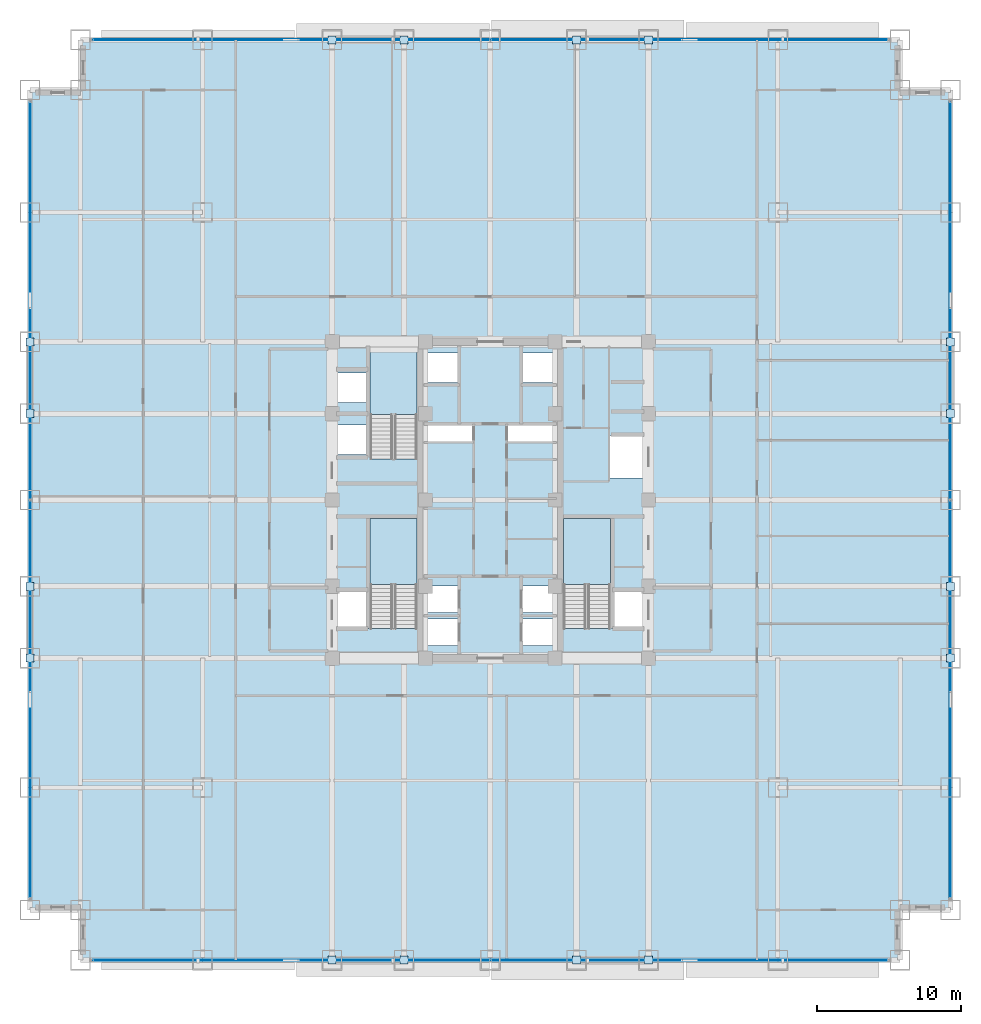
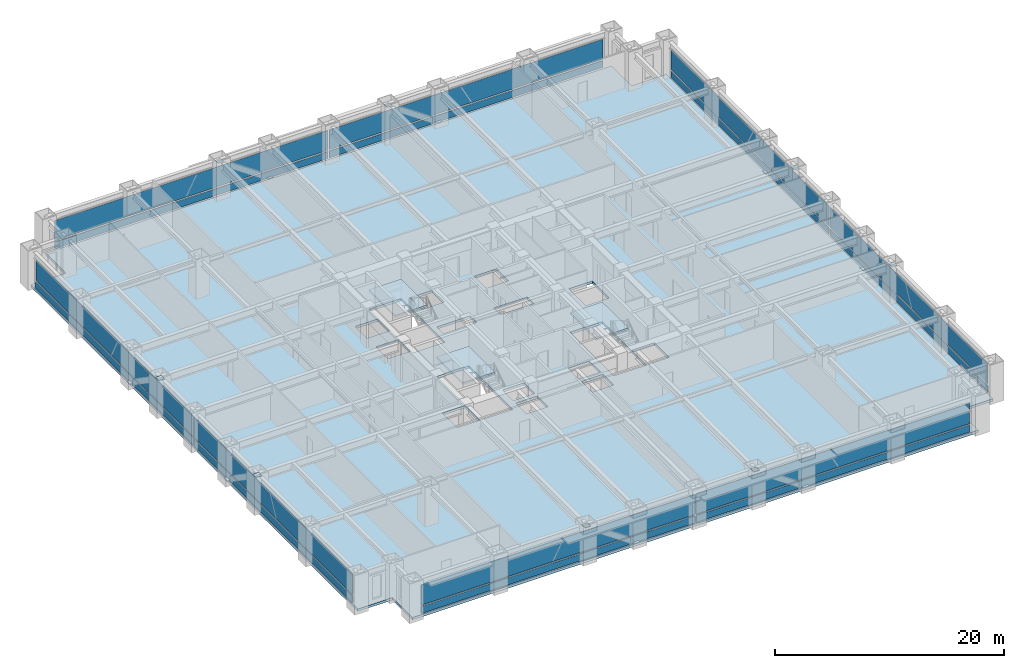
# One storey, part 22 of 32: 32 plates, 4 slabs, 7 elements without a shape of their own.
"""IFC4 building model written with IfcOpenShell, lengths in metres."""

from ifc_helpers import new_model, si_unit, direction, frame, origin, origin_2d, place, context, subcontext, project, spatial, polyline, rectangle, outline, extrude, source, transform, mapped, material, layer, layer_set, type_object, element, aggregate, save


model = new_model("IFC4")

# Units and contexts
model_context = context("Model", 3, precision=1e-05, world=origin(), true_north=direction((0.0, 1.0)))
body_context = subcontext(model_context, "Body", "Model", "MODEL_VIEW")
ifc_project = project(units=[si_unit("LENGTHUNIT", "METRE"), si_unit("AREAUNIT", "SQUARE_METRE"), si_unit("VOLUMEUNIT", "CUBIC_METRE"), si_unit("PLANEANGLEUNIT", "RADIAN"), si_unit("MASSUNIT", "GRAM", prefix="KILO")], contexts=[model_context])

# Site, building, storey
site_placement = place(None, origin())
site = spatial("IfcSite", under=ifc_project, at=site_placement, CompositionType="ELEMENT")
building_placement = place(site_placement, origin())
building = spatial("IfcBuilding", under=site, at=building_placement, Name="Khorayat Bourse Tower", CompositionType="ELEMENT")
storey_placement = place(building_placement, frame((0.0, 0.0, 78.800048828125)))
storey = spatial("IfcBuildingStorey", under=building, at=storey_placement, Name="L17", CompositionType="ELEMENT", Elevation=78.800048828125)

# Stair, slab
ifc_material_1 = material(Name="Concrete C40/50", Category="concrete")
stair_type = type_object("IfcStairType", Name="STR-CORE-1550", PredefinedType="HALF_TURN_STAIR", material=ifc_material_1)
stair_1_placement = place(storey_placement, origin())
stair_1 = element("IfcStair", 1, at=stair_1_placement, inside=storey, type_object=stair_type, Name="L17 Exit Stair ST-1", PredefinedType="HALF_TURN_STAIR")
ifc_layer_1 = layer(ifc_material_1, 0.199951171875)
ifc_layer_set_1 = layer_set([ifc_layer_1], Name="Concrete C40/50")
slab_type_1 = type_object("IfcSlabType", Name="SLB-LANDING-200", PredefinedType="LANDING", material=ifc_layer_set_1)
slab_1_placement = place(storey_placement, frame((0.0, 0.0, 1.89990234375)))
slab_1 = element("IfcSlab", 2, at=slab_1_placement, type_object=slab_type_1, Name="ST-1 landing 1", PredefinedType="LANDING", context=body_context, shape_type="SweptSolid", body=[
    extrude(outline(polyline([(-5.10009765625, -5.8701171875), (-5.10009765625, -1.300048828125), (-8.35009765625, -1.300048828125), (-8.35009765625, -5.8701171875), (-5.10009765625, -5.8701171875)])), origin(), (0.0, 0.0, 1.0), 0.199951171875),
])
aggregate(stair_1, [slab_1])

stair_2_placement = place(storey_placement, origin())
stair_2 = element("IfcStair", 3, at=stair_2_placement, inside=storey, type_object=stair_type, Name="L17 Exit Stair ST-2", PredefinedType="HALF_TURN_STAIR")
slab_2_placement = place(storey_placement, frame((0.0, 0.0, 1.89990234375)))
slab_2 = element("IfcSlab", 4, at=slab_2_placement, type_object=slab_type_1, Name="ST-2 landing 1", PredefinedType="LANDING", context=body_context, shape_type="SweptSolid", body=[
    extrude(outline(polyline([(-5.10009765625, 5.929931640625), (-5.10009765625, 10.5), (-8.35009765625, 10.5), (-8.35009765625, 5.929931640625), (-5.10009765625, 5.929931640625)])), origin(), (0.0, 0.0, 1.0), 0.199951171875),
])
aggregate(stair_2, [slab_2])

stair_3_placement = place(storey_placement, origin())
stair_3 = element("IfcStair", 5, at=stair_3_placement, inside=storey, type_object=stair_type, Name="L17 Exit Stair ST-3", PredefinedType="HALF_TURN_STAIR")
slab_3_placement = place(storey_placement, frame((0.0, 0.0, 1.89990234375)))
slab_3 = element("IfcSlab", 6, at=slab_3_placement, type_object=slab_type_1, Name="ST-3 landing 1", PredefinedType="LANDING", context=body_context, shape_type="SweptSolid", body=[
    extrude(outline(polyline([(8.35009765625, -5.8701171875), (8.35009765625, -1.300048828125), (5.10009765625, -1.300048828125), (5.10009765625, -5.8701171875), (8.35009765625, -5.8701171875)])), origin(), (0.0, 0.0, 1.0), 0.199951171875),
])
aggregate(stair_3, [slab_3])

# Slab
ifc_layer_2 = layer(ifc_material_1, 0.260009765625)
ifc_layer_set_2 = layer_set([ifc_layer_2], Name="Concrete C40/50")
slab_type_2 = type_object("IfcSlabType", Name="SLB-TRADE-260", PredefinedType="FLOOR", material=ifc_layer_set_2)
slab_4_placement = place(storey_placement, frame((0.0, 0.0, -0.260009765625)))
element("IfcSlab", 7, at=slab_4_placement, inside=storey, type_object=slab_type_2, Name="L17 Main Floor Slab", PredefinedType="FLOOR", context=body_context, shape_type="SweptSolid", body=[
    extrude(outline(polyline([(-28.5, -32.0), (28.5, -32.0), (28.5, -28.5), (32.0, -28.5), (32.0, 28.5), (28.5, 28.5), (28.5, 32.0), (-28.5, 32.0), (-28.5, 28.5), (-32.0, 28.5), (-32.0, -28.5), (-28.5, -28.5), (-28.5, -32.0)]), holes=[polyline([(-8.35009765625, -8.945068359375), (-5.10009765625, -8.945068359375), (-5.10009765625, -1.300048828125), (-8.35009765625, -1.300048828125), (-8.35009765625, -8.945068359375)]), polyline([(-8.35009765625, 2.85498046875), (-5.10009765625, 2.85498046875), (-5.10009765625, 10.5), (-8.35009765625, 10.5), (-8.35009765625, 2.85498046875)]), polyline([(5.10009765625, -8.945068359375), (8.35009765625, -8.945068359375), (8.35009765625, -1.300048828125), (5.10009765625, -1.300048828125), (5.10009765625, -8.945068359375)]), polyline([(-4.3798828125, -10.1298828125), (-2.219970703125, -10.1298828125), (-2.219970703125, -8.27001953125), (-4.3798828125, -8.27001953125), (-4.3798828125, -10.1298828125)]), polyline([(2.219970703125, -10.1298828125), (4.3798828125, -10.1298828125), (4.3798828125, -8.27001953125), (2.219970703125, -8.27001953125), (2.219970703125, -10.1298828125)]), polyline([(-4.3798828125, -7.830078125), (-2.219970703125, -7.830078125), (-2.219970703125, -5.969970703125), (-4.3798828125, -5.969970703125), (-4.3798828125, -7.830078125)]), polyline([(2.219970703125, -7.830078125), (4.3798828125, -7.830078125), (4.3798828125, -5.969970703125), (2.219970703125, -5.969970703125), (2.219970703125, -7.830078125)]), polyline([(-4.3798828125, 8.169921875), (-2.1201171875, 8.169921875), (-2.1201171875, 10.22998046875), (-4.3798828125, 10.22998046875), (-4.3798828125, 8.169921875)]), polyline([(2.1201171875, 8.169921875), (4.3798828125, 8.169921875), (4.3798828125, 10.22998046875), (2.1201171875, 10.22998046875), (2.1201171875, 8.169921875)]), polyline([(-10.679931640625, 3.169921875), (-8.419921875, 3.169921875), (-8.419921875, 5.22998046875), (-10.679931640625, 5.22998046875), (-10.679931640625, 3.169921875)]), polyline([(-10.679931640625, 6.77001953125), (-8.419921875, 6.77001953125), (-8.419921875, 8.830078125), (-10.679931640625, 8.830078125), (-10.679931640625, 6.77001953125)]), polyline([(-10.679931640625, -8.929931640625), (-8.419921875, -8.929931640625), (-8.419921875, -6.3701171875), (-10.679931640625, -6.3701171875), (-10.679931640625, -8.929931640625)]), polyline([(8.419921875, -8.929931640625), (10.679931640625, -8.929931640625), (10.679931640625, -6.3701171875), (8.419921875, -6.3701171875), (8.419921875, -8.929931640625)]), polyline([(8.320068359375, 1.52001953125), (10.679931640625, 1.52001953125), (10.679931640625, 4.47998046875), (8.320068359375, 4.47998046875), (8.320068359375, 1.52001953125)]), polyline([(-4.56005859375, 4.080078125), (-1.18994140625, 4.080078125), (-1.18994140625, 5.219970703125), (-4.56005859375, 5.219970703125), (-4.56005859375, 4.080078125)]), polyline([(1.18994140625, 4.080078125), (4.56005859375, 4.080078125), (4.56005859375, 5.219970703125), (1.18994140625, 5.219970703125), (1.18994140625, 4.080078125)])]), origin(), (0.0, 0.0, 1.0), 0.260009765625),
])

# Plates
ifc_material_2 = material(Name="Steel EN 10025-2 S355J2", Category="steel")
ifc_layer_3 = layer(ifc_material_2, 0.02490234375)
ifc_layer_set_3 = layer_set([ifc_layer_3], Name="Steel EN 10025-2 S355J2")
plate_type_1 = type_object("IfcPlateType", Name="PLT-ENDCAP-25", PredefinedType="SHEET", material=ifc_layer_set_3)
shared_shape_1 = source(origin(), body_context, "Body", "SweptSolid", [
    extrude(rectangle(XDim=0.56005859375, YDim=0.56005859375, at=origin_2d()), origin(), (0.0, 0.0, 1.0), 0.02490234375),
])
for number, where, z_axis, x_axis, name in (
    (8, (-11.0, -32.0, 3.677490234375), (0.0, 0.0, 1.0), (1.0, 0.0, 0.0), "L17 Perimeter Brace End Plate 001"),
    (9, (-6.0, -32.0, 0.237548828125), (0.0, 0.0, 1.0), (1.0, 0.0, 0.0), "L17 Perimeter Brace End Plate 002"),
    (10, (6.0, -32.0, 3.677490234375), (0.0, 0.0, 1.0), (1.0, 0.0, 0.0), "L17 Perimeter Brace End Plate 003"),
    (11, (11.0, -32.0, 0.237548828125), (0.0, 0.0, 1.0), (1.0, 0.0, 0.0), "L17 Perimeter Brace End Plate 004"),
    (12, (-11.0, 32.0, 3.677490234375), (0.0, 0.0, 1.0), (1.0, 0.0, 0.0), "L17 Perimeter Brace End Plate 005"),
    (13, (-6.0, 32.0, 0.237548828125), (0.0, 0.0, 1.0), (1.0, 0.0, 0.0), "L17 Perimeter Brace End Plate 006"),
    (14, (6.0, 32.0, 3.677490234375), (0.0, 0.0, 1.0), (1.0, 0.0, 0.0), "L17 Perimeter Brace End Plate 007"),
    (15, (11.0, 32.0, 0.237548828125), (0.0, 0.0, 1.0), (1.0, 0.0, 0.0), "L17 Perimeter Brace End Plate 008"),
    (16, (-32.0, -11.0, 3.677490234375), (0.0, 0.0, 1.0), (1.0, 0.0, 0.0), "L17 Perimeter Brace End Plate 009"),
    (17, (-32.0, -6.0, 0.237548828125), (0.0, 0.0, 1.0), (1.0, 0.0, 0.0), "L17 Perimeter Brace End Plate 010"),
    (18, (-32.0, 6.0, 3.677490234375), (0.0, 0.0, 1.0), (1.0, 0.0, 0.0), "L17 Perimeter Brace End Plate 011"),
    (19, (-32.0, 11.0, 0.237548828125), (0.0, 0.0, 1.0), (1.0, 0.0, 0.0), "L17 Perimeter Brace End Plate 012"),
    (20, (32.0, -11.0, 3.677490234375), (0.0, 0.0, 1.0), (1.0, 0.0, 0.0), "L17 Perimeter Brace End Plate 013"),
    (21, (32.0, -6.0, 0.237548828125), (0.0, 0.0, 1.0), (1.0, 0.0, 0.0), "L17 Perimeter Brace End Plate 014"),
    (22, (32.0, 6.0, 3.677490234375), (0.0, 0.0, 1.0), (1.0, 0.0, 0.0), "L17 Perimeter Brace End Plate 015"),
    (23, (32.0, 11.0, 0.237548828125), (0.0, 0.0, 1.0), (1.0, 0.0, 0.0), "L17 Perimeter Brace End Plate 016"),
):
    element("IfcPlate", number, at=place(storey_placement, frame(where, z_axis=z_axis, x_axis=x_axis)), inside=storey, type_object=plate_type_1, Name=name, PredefinedType="SHEET", context=body_context, shape_type="MappedRepresentation", body=[
        mapped(shared_shape_1, transform((0.0, 0.0, 0.0), scale=1.0)),
    ])

# Curtain wall, plates
ifc_material_3 = material(Name="Aluminium EN AW-6063 T6", Category="aluminium")
curtain_wall_type = type_object("IfcCurtainWallType", Name="CW-SYS-02", PredefinedType="NOTDEFINED", material=ifc_material_3)
curtain_wall_1_placement = place(storey_placement, origin())
curtain_wall_1 = element("IfcCurtainWall", 24, at=curtain_wall_1_placement, inside=storey, type_object=curtain_wall_type, Name="L17 Curtain Wall CW-L17-S1", PredefinedType="NOTDEFINED")
ifc_material_4 = material(Name="Honed desert limestone insulated spandrel", Category="masonry")
ifc_layer_4 = layer(ifc_material_4, 0.06494140625)
ifc_layer_set_4 = layer_set([ifc_layer_4], Name="Honed desert limestone insulated spandrel")
plate_type_2 = type_object("IfcPlateType", Name="CWP-SPAND-03", PredefinedType="CURTAIN_PANEL", material=ifc_layer_set_4)
shared_shape_2 = source(origin(), body_context, "Body", "SweptSolid", [
    extrude(rectangle(XDim=27.5400390625, YDim=0.06494140625, at=origin_2d()), origin(), (0.0, 0.0, 1.0), 0.739990234375),
])
plate_1_placement = place(storey_placement, frame((-13.840087890625, -32.0, 0.14013671875), z_axis=(0.0, 0.0, 1.0), x_axis=(1.0, 0.0, 0.0)))
plate_1 = element("IfcPlate", 25, at=plate_1_placement, type_object=plate_type_2, Name="CW-L17-S1 Spandrel Panel 1-1", PredefinedType="CURTAIN_PANEL", context=body_context, shape_type="MappedRepresentation", body=[
    mapped(shared_shape_2, transform((0.0, 0.0, 0.0), scale=1.0)),
])
plate_2_placement = place(storey_placement, frame((13.840087890625, -32.0, 0.14013671875), z_axis=(0.0, 0.0, 1.0), x_axis=(1.0, 0.0, 0.0)))
plate_2 = element("IfcPlate", 26, at=plate_2_placement, type_object=plate_type_2, Name="CW-L17-S1 Spandrel Panel 2-1", PredefinedType="CURTAIN_PANEL", context=body_context, shape_type="MappedRepresentation", body=[
    mapped(shared_shape_2, transform((0.0, 0.0, 0.0), scale=1.0)),
])

curtain_wall_2_placement = place(storey_placement, origin())
curtain_wall_2 = element("IfcCurtainWall", 27, at=curtain_wall_2_placement, inside=storey, type_object=curtain_wall_type, Name="L17 Curtain Wall CW-L17-N1", PredefinedType="NOTDEFINED")
plate_3_placement = place(storey_placement, frame((-13.840087890625, 32.0, 0.14013671875), z_axis=(0.0, 0.0, 1.0), x_axis=(1.0, 0.0, 0.0)))
plate_3 = element("IfcPlate", 28, at=plate_3_placement, type_object=plate_type_2, Name="CW-L17-N1 Spandrel Panel 1-1", PredefinedType="CURTAIN_PANEL", context=body_context, shape_type="MappedRepresentation", body=[
    mapped(shared_shape_2, transform((0.0, 0.0, 0.0), scale=1.0)),
])
plate_4_placement = place(storey_placement, frame((13.840087890625, 32.0, 0.14013671875), z_axis=(0.0, 0.0, 1.0), x_axis=(1.0, 0.0, 0.0)))
plate_4 = element("IfcPlate", 29, at=plate_4_placement, type_object=plate_type_2, Name="CW-L17-N1 Spandrel Panel 2-1", PredefinedType="CURTAIN_PANEL", context=body_context, shape_type="MappedRepresentation", body=[
    mapped(shared_shape_2, transform((0.0, 0.0, 0.0), scale=1.0)),
])

curtain_wall_3_placement = place(storey_placement, origin())
curtain_wall_3 = element("IfcCurtainWall", 30, at=curtain_wall_3_placement, inside=storey, type_object=curtain_wall_type, Name="L17 Curtain Wall CW-L17-W1", PredefinedType="NOTDEFINED")
plate_5_placement = place(storey_placement, frame((-32.0, -13.840087890625, 0.14013671875), z_axis=(0.0, 0.0, 1.0), x_axis=(0.0, 1.0, 0.0)))
plate_5 = element("IfcPlate", 31, at=plate_5_placement, type_object=plate_type_2, Name="CW-L17-W1 Spandrel Panel 1-1", PredefinedType="CURTAIN_PANEL", context=body_context, shape_type="MappedRepresentation", body=[
    mapped(shared_shape_2, transform((0.0, 0.0, 0.0), scale=1.0)),
])
plate_6_placement = place(storey_placement, frame((-32.0, 13.840087890625, 0.14013671875), z_axis=(0.0, 0.0, 1.0), x_axis=(0.0, 1.0, 0.0)))
plate_6 = element("IfcPlate", 32, at=plate_6_placement, type_object=plate_type_2, Name="CW-L17-W1 Spandrel Panel 2-1", PredefinedType="CURTAIN_PANEL", context=body_context, shape_type="MappedRepresentation", body=[
    mapped(shared_shape_2, transform((0.0, 0.0, 0.0), scale=1.0)),
])

curtain_wall_4_placement = place(storey_placement, origin())
curtain_wall_4 = element("IfcCurtainWall", 33, at=curtain_wall_4_placement, inside=storey, type_object=curtain_wall_type, Name="L17 Curtain Wall CW-L17-E1", PredefinedType="NOTDEFINED")
plate_7_placement = place(storey_placement, frame((32.0, -13.840087890625, 0.14013671875), z_axis=(0.0, 0.0, 1.0), x_axis=(0.0, 1.0, 0.0)))
plate_7 = element("IfcPlate", 34, at=plate_7_placement, type_object=plate_type_2, Name="CW-L17-E1 Spandrel Panel 1-1", PredefinedType="CURTAIN_PANEL", context=body_context, shape_type="MappedRepresentation", body=[
    mapped(shared_shape_2, transform((0.0, 0.0, 0.0), scale=1.0)),
])
plate_8_placement = place(storey_placement, frame((32.0, 13.840087890625, 0.14013671875), z_axis=(0.0, 0.0, 1.0), x_axis=(0.0, 1.0, 0.0)))
plate_8 = element("IfcPlate", 35, at=plate_8_placement, type_object=plate_type_2, Name="CW-L17-E1 Spandrel Panel 2-1", PredefinedType="CURTAIN_PANEL", context=body_context, shape_type="MappedRepresentation", body=[
    mapped(shared_shape_2, transform((0.0, 0.0, 0.0), scale=1.0)),
])

# Plate
ifc_material_5 = material(Name="Low-E solar-control laminated double glazing", Category="glass")
ifc_layer_5 = layer(ifc_material_5, 0.0419921875)
ifc_layer_set_5 = layer_set([ifc_layer_5], Name="Low-E solar-control laminated double glazing")
plate_type_3 = type_object("IfcPlateType", Name="CWP-FACET-02", PredefinedType="CURTAIN_PANEL", material=ifc_layer_set_5)
shared_shape_3 = source(origin(), body_context, "Body", "SweptSolid", [
    extrude(rectangle(XDim=27.5400390625, YDim=0.0419921875, at=origin_2d()), origin(), (0.0, 0.0, 1.0), 2.1298828125),
])
plate_9_placement = place(storey_placement, frame((-13.840087890625, -32.0, 1.02001953125), z_axis=(0.0, 0.0, 1.0), x_axis=(1.0, 0.0, 0.0)))
plate_9 = element("IfcPlate", 36, at=plate_9_placement, type_object=plate_type_3, Name="CW-L17-S1 Vision Panel 1-2", PredefinedType="CURTAIN_PANEL", context=body_context, shape_type="MappedRepresentation", body=[
    mapped(shared_shape_3, transform((0.0, 0.0, 0.0), scale=1.0)),
])

plate_10_placement = place(storey_placement, frame((13.840087890625, -32.0, 1.02001953125), z_axis=(0.0, 0.0, 1.0), x_axis=(1.0, 0.0, 0.0)))
plate_10 = element("IfcPlate", 37, at=plate_10_placement, type_object=plate_type_3, Name="CW-L17-S1 Vision Panel 2-2", PredefinedType="CURTAIN_PANEL", context=body_context, shape_type="MappedRepresentation", body=[
    mapped(shared_shape_3, transform((0.0, 0.0, 0.0), scale=1.0)),
])

aggregate(curtain_wall_1, [plate_1, plate_9, plate_2, plate_10])

plate_11_placement = place(storey_placement, frame((-13.840087890625, 32.0, 1.02001953125), z_axis=(0.0, 0.0, 1.0), x_axis=(1.0, 0.0, 0.0)))
plate_11 = element("IfcPlate", 38, at=plate_11_placement, type_object=plate_type_3, Name="CW-L17-N1 Vision Panel 1-2", PredefinedType="CURTAIN_PANEL", context=body_context, shape_type="MappedRepresentation", body=[
    mapped(shared_shape_3, transform((0.0, 0.0, 0.0), scale=1.0)),
])

plate_12_placement = place(storey_placement, frame((13.840087890625, 32.0, 1.02001953125), z_axis=(0.0, 0.0, 1.0), x_axis=(1.0, 0.0, 0.0)))
plate_12 = element("IfcPlate", 39, at=plate_12_placement, type_object=plate_type_3, Name="CW-L17-N1 Vision Panel 2-2", PredefinedType="CURTAIN_PANEL", context=body_context, shape_type="MappedRepresentation", body=[
    mapped(shared_shape_3, transform((0.0, 0.0, 0.0), scale=1.0)),
])

aggregate(curtain_wall_2, [plate_3, plate_11, plate_4, plate_12])

plate_13_placement = place(storey_placement, frame((-32.0, -13.840087890625, 1.02001953125), z_axis=(0.0, 0.0, 1.0), x_axis=(0.0, 1.0, 0.0)))
plate_13 = element("IfcPlate", 40, at=plate_13_placement, type_object=plate_type_3, Name="CW-L17-W1 Vision Panel 1-2", PredefinedType="CURTAIN_PANEL", context=body_context, shape_type="MappedRepresentation", body=[
    mapped(shared_shape_3, transform((0.0, 0.0, 0.0), scale=1.0)),
])

plate_14_placement = place(storey_placement, frame((-32.0, 13.840087890625, 1.02001953125), z_axis=(0.0, 0.0, 1.0), x_axis=(0.0, 1.0, 0.0)))
plate_14 = element("IfcPlate", 41, at=plate_14_placement, type_object=plate_type_3, Name="CW-L17-W1 Vision Panel 2-2", PredefinedType="CURTAIN_PANEL", context=body_context, shape_type="MappedRepresentation", body=[
    mapped(shared_shape_3, transform((0.0, 0.0, 0.0), scale=1.0)),
])

aggregate(curtain_wall_3, [plate_5, plate_13, plate_6, plate_14])

plate_15_placement = place(storey_placement, frame((32.0, -13.840087890625, 1.02001953125), z_axis=(0.0, 0.0, 1.0), x_axis=(0.0, 1.0, 0.0)))
plate_15 = element("IfcPlate", 42, at=plate_15_placement, type_object=plate_type_3, Name="CW-L17-E1 Vision Panel 1-2", PredefinedType="CURTAIN_PANEL", context=body_context, shape_type="MappedRepresentation", body=[
    mapped(shared_shape_3, transform((0.0, 0.0, 0.0), scale=1.0)),
])

plate_16_placement = place(storey_placement, frame((32.0, 13.840087890625, 1.02001953125), z_axis=(0.0, 0.0, 1.0), x_axis=(0.0, 1.0, 0.0)))
plate_16 = element("IfcPlate", 43, at=plate_16_placement, type_object=plate_type_3, Name="CW-L17-E1 Vision Panel 2-2", PredefinedType="CURTAIN_PANEL", context=body_context, shape_type="MappedRepresentation", body=[
    mapped(shared_shape_3, transform((0.0, 0.0, 0.0), scale=1.0)),
])

aggregate(curtain_wall_4, [plate_7, plate_15, plate_8, plate_16])

save(model, "model.ifc")
